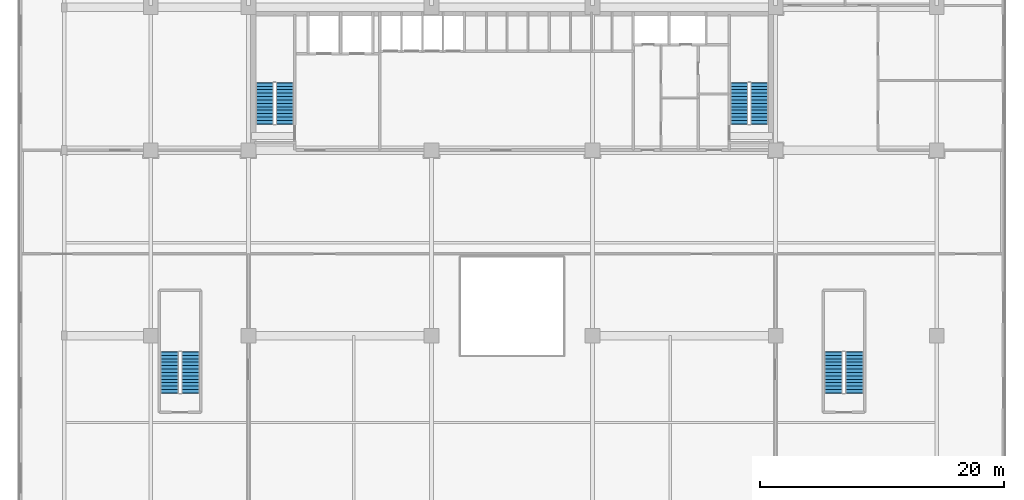
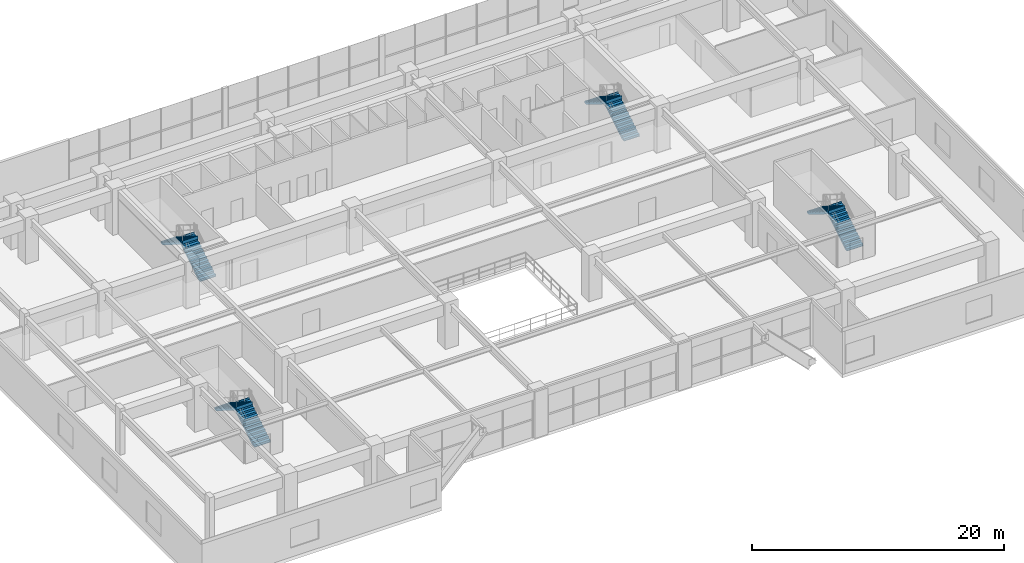
# One storey, part 18 of 24: 8 stair flights, 4 elements without a shape of their own.
"""IFC4 building model written with IfcOpenShell, lengths in metres."""

from ifc_helpers import new_model, si_unit, direction, frame, origin, place, context, subcontext, project, spatial, polyline, outline, extrude, source, transform, mapped, material, type_object, element, aggregate, save


model = new_model("IFC4")

# Units and contexts
model_context = context("Model", 3, precision=1e-05, world=origin(), true_north=direction((0.0, 1.0)))
body_context = subcontext(model_context, "Body", "Model", "MODEL_VIEW")
ifc_project = project(units=[si_unit("LENGTHUNIT", "METRE"), si_unit("AREAUNIT", "SQUARE_METRE"), si_unit("VOLUMEUNIT", "CUBIC_METRE"), si_unit("PLANEANGLEUNIT", "RADIAN"), si_unit("MASSUNIT", "GRAM", prefix="KILO")], contexts=[model_context])

# Site, building, storey
site_placement = place(None, origin())
site = spatial("IfcSite", under=ifc_project, at=site_placement, CompositionType="ELEMENT")
building_placement = place(site_placement, origin())
building = spatial("IfcBuilding", under=site, at=building_placement, Name="Trelvane Seafront Commons", CompositionType="ELEMENT")
storey_placement = place(building_placement, frame((0.0, 0.0, 5.199951171875)))
storey = spatial("IfcBuildingStorey", under=building, at=storey_placement, Name="L01", CompositionType="ELEMENT", Elevation=5.199951171875)

# Stair, stair flights
ifc_material = material(Name="Concrete C40/50", Category="concrete")
stair_type_1 = type_object("IfcStairType", Name="ARCH-STR-ST-1-R26-173", PredefinedType="HALF_TURN_STAIR", material=ifc_material)
stair_1_placement = place(storey_placement, origin())
stair_1 = element("IfcStair", 1, at=stair_1_placement, inside=storey, type_object=stair_type_1, Name="L01 West Protected Firefighting Exit Stair ST-1", PredefinedType="HALF_TURN_STAIR")
stair_flight_type_1 = type_object("IfcStairFlightType", Name="ARCH-FLG-ST-1-R26-173", PredefinedType="STRAIGHT", material=ifc_material)
shared_shape_1 = source(origin(), body_context, "Body", "SweptSolid", [
    extrude(outline(polyline([(-0.050048828125, -0.02001953125), (-0.050048828125, 0.0), (0.0, 0.0), (0.0, 0.173095703125), (0.280029296875, 0.173095703125), (0.280029296875, 0.34619140625), (0.56005859375, 0.34619140625), (0.56005859375, 0.519287109375), (0.840087890625, 0.519287109375), (0.840087890625, 0.6923828125), (1.1201171875, 0.6923828125), (1.1201171875, 0.865478515625), (1.39990234375, 0.865478515625), (1.39990234375, 1.03857421875), (1.679931640625, 1.03857421875), (1.679931640625, 1.21142578125), (1.9599609375, 1.21142578125), (1.9599609375, 1.384521484375), (2.239990234375, 1.384521484375), (2.239990234375, 1.5576171875), (2.52001953125, 1.5576171875), (2.52001953125, 1.730712890625), (2.800048828125, 1.730712890625), (2.800048828125, 1.90380859375), (3.080078125, 1.90380859375), (3.080078125, 2.076904296875), (3.360107421875, 2.076904296875), (3.360107421875, 2.25), (3.409912109375, 2.25), (3.409912109375, 2.10009765625), (3.360107421875, 1.900634765625), (0.28515625, -0.02001953125), (-0.050048828125, -0.02001953125)])), frame((0.0, 0.72509765625, 0.0), z_axis=(0.0, -1.0, 0.0), x_axis=(1.0, 0.0, 0.0)), (0.0, 0.0, 1.0), 1.449951171875),
])
stair_flight_1_placement = place(storey_placement, frame((18.574951171875, 35.550048828125, 0.0), z_axis=(0.0, 0.0, 1.0), x_axis=(0.0, 1.0, 0.0)))
stair_flight_1 = element("IfcStairFlight", 2, at=stair_flight_1_placement, type_object=stair_flight_type_1, Name="ST-1 flight 1", NumberOfRisers=13, NumberOfTreads=12, PredefinedType="STRAIGHT", RiserHeight=0.173076923, TreadLength=0.28, context=body_context, shape_type="MappedRepresentation", body=[
    mapped(shared_shape_1, transform((0.0, 0.0, 0.0), x_axis=(1.0, 0.0, 0.0), y_axis=(0.0, 1.0, 0.0), z_axis=(0.0, 0.0, 1.0), scale=1.0)),
])
stair_flight_2_placement = place(storey_placement, frame((16.925048828125, 38.909912109375, 2.25), z_axis=(0.0, 0.0, 1.0), x_axis=(0.0, -1.0, 0.0)))
stair_flight_2 = element("IfcStairFlight", 3, at=stair_flight_2_placement, type_object=stair_flight_type_1, Name="ST-1 flight 2", NumberOfRisers=13, NumberOfTreads=12, PredefinedType="STRAIGHT", RiserHeight=0.173076923, TreadLength=0.28, context=body_context, shape_type="MappedRepresentation", body=[
    mapped(shared_shape_1, transform((0.0, 0.0, 0.0), x_axis=(1.0, 0.0, 0.0), y_axis=(0.0, 1.0, 0.0), z_axis=(0.0, 0.0, 1.0), scale=1.0)),
])
aggregate(stair_1, [stair_flight_1, stair_flight_2])

stair_type_2 = type_object("IfcStairType", Name="ARCH-STR-ST-2-R26-173", PredefinedType="HALF_TURN_STAIR", material=ifc_material)
stair_2_placement = place(storey_placement, origin())
stair_2 = element("IfcStair", 4, at=stair_2_placement, inside=storey, type_object=stair_type_2, Name="L01 East Protected Firefighting Exit Stair ST-2", PredefinedType="HALF_TURN_STAIR")
stair_flight_type_2 = type_object("IfcStairFlightType", Name="ARCH-FLG-ST-2-R26-173", PredefinedType="STRAIGHT", material=ifc_material)
stair_flight_3_placement = place(storey_placement, frame((57.47509765625, 35.550048828125, 0.0), z_axis=(0.0, 0.0, 1.0), x_axis=(0.0, 1.0, 0.0)))
stair_flight_3 = element("IfcStairFlight", 5, at=stair_flight_3_placement, type_object=stair_flight_type_2, Name="ST-2 flight 1", NumberOfRisers=13, NumberOfTreads=12, PredefinedType="STRAIGHT", RiserHeight=0.173076923, TreadLength=0.28, context=body_context, shape_type="MappedRepresentation", body=[
    mapped(shared_shape_1, transform((0.0, 0.0, 0.0), x_axis=(1.0, 0.0, 0.0), y_axis=(0.0, 1.0, 0.0), z_axis=(0.0, 0.0, 1.0), scale=1.0)),
])
stair_flight_4_placement = place(storey_placement, frame((55.824951171875, 38.909912109375, 2.25), z_axis=(0.0, 0.0, 1.0), x_axis=(0.0, -1.0, 0.0)))
stair_flight_4 = element("IfcStairFlight", 6, at=stair_flight_4_placement, type_object=stair_flight_type_2, Name="ST-2 flight 2", NumberOfRisers=13, NumberOfTreads=12, PredefinedType="STRAIGHT", RiserHeight=0.173076923, TreadLength=0.28, context=body_context, shape_type="MappedRepresentation", body=[
    mapped(shared_shape_1, transform((0.0, 0.0, 0.0), x_axis=(1.0, 0.0, 0.0), y_axis=(0.0, 1.0, 0.0), z_axis=(0.0, 0.0, 1.0), scale=1.0)),
])
aggregate(stair_2, [stair_flight_3, stair_flight_4])

stair_type_3 = type_object("IfcStairType", Name="ARCH-STR-ST-3-R26-173", PredefinedType="HALF_TURN_STAIR", material=ifc_material)
stair_3_placement = place(storey_placement, origin())
stair_3 = element("IfcStair", 7, at=stair_3_placement, inside=storey, type_object=stair_type_3, Name="L01 Podium Commons West Promenade Stair ST-3", PredefinedType="HALF_TURN_STAIR")
stair_flight_type_3 = type_object("IfcStairFlightType", Name="ARCH-FLG-ST-3-R26-173", PredefinedType="STRAIGHT", material=ifc_material)
shared_shape_2 = source(origin(), body_context, "Body", "SweptSolid", [
    extrude(outline(polyline([(-0.050048828125, -0.02001953125), (-0.050048828125, 0.0), (0.0, 0.0), (0.0, 0.173095703125), (0.280029296875, 0.173095703125), (0.280029296875, 0.34619140625), (0.56005859375, 0.34619140625), (0.56005859375, 0.519287109375), (0.840087890625, 0.519287109375), (0.840087890625, 0.6923828125), (1.1201171875, 0.6923828125), (1.1201171875, 0.865478515625), (1.39990234375, 0.865478515625), (1.39990234375, 1.03857421875), (1.679931640625, 1.03857421875), (1.679931640625, 1.21142578125), (1.9599609375, 1.21142578125), (1.9599609375, 1.384521484375), (2.239990234375, 1.384521484375), (2.239990234375, 1.5576171875), (2.52001953125, 1.5576171875), (2.52001953125, 1.730712890625), (2.800048828125, 1.730712890625), (2.800048828125, 1.90380859375), (3.080078125, 1.90380859375), (3.080078125, 2.076904296875), (3.360107421875, 2.076904296875), (3.360107421875, 2.25), (3.409912109375, 2.25), (3.409912109375, 2.10009765625), (3.360107421875, 1.900634765625), (0.28515625, -0.02001953125), (-0.050048828125, -0.02001953125)])), frame((0.0, 0.75, 0.0), z_axis=(0.0, -1.0, 0.0), x_axis=(1.0, 0.0, 0.0)), (0.0, 0.0, 1.0), 1.5),
])
stair_flight_5_placement = place(storey_placement, frame((10.85009765625, 13.5, 0.0), z_axis=(0.0, 0.0, 1.0), x_axis=(0.0, 1.0, 0.0)))
stair_flight_5 = element("IfcStairFlight", 8, at=stair_flight_5_placement, type_object=stair_flight_type_3, Name="ST-3 flight 1", NumberOfRisers=13, NumberOfTreads=12, PredefinedType="STRAIGHT", RiserHeight=0.173076923, TreadLength=0.28, context=body_context, shape_type="MappedRepresentation", body=[
    mapped(shared_shape_2, transform((0.0, 0.0, 0.0), x_axis=(1.0, 0.0, 0.0), y_axis=(0.0, 1.0, 0.0), z_axis=(0.0, 0.0, 1.0), scale=1.0)),
])
stair_flight_6_placement = place(storey_placement, frame((9.14990234375, 16.860107421875, 2.25), z_axis=(0.0, 0.0, 1.0), x_axis=(0.0, -1.0, 0.0)))
stair_flight_6 = element("IfcStairFlight", 9, at=stair_flight_6_placement, type_object=stair_flight_type_3, Name="ST-3 flight 2", NumberOfRisers=13, NumberOfTreads=12, PredefinedType="STRAIGHT", RiserHeight=0.173076923, TreadLength=0.28, context=body_context, shape_type="MappedRepresentation", body=[
    mapped(shared_shape_2, transform((0.0, 0.0, 0.0), x_axis=(1.0, 0.0, 0.0), y_axis=(0.0, 1.0, 0.0), z_axis=(0.0, 0.0, 1.0), scale=1.0)),
])
aggregate(stair_3, [stair_flight_5, stair_flight_6])

stair_type_4 = type_object("IfcStairType", Name="ARCH-STR-ST-4-R26-173", PredefinedType="HALF_TURN_STAIR", material=ifc_material)
stair_4_placement = place(storey_placement, origin())
stair_4 = element("IfcStair", 10, at=stair_4_placement, inside=storey, type_object=stair_type_4, Name="L01 Podium Commons East Promenade Stair ST-4", PredefinedType="HALF_TURN_STAIR")
stair_flight_type_4 = type_object("IfcStairFlightType", Name="ARCH-FLG-ST-4-R26-173", PredefinedType="STRAIGHT", material=ifc_material)
stair_flight_7_placement = place(storey_placement, frame((65.25, 13.5, 0.0), z_axis=(0.0, 0.0, 1.0), x_axis=(0.0, 1.0, 0.0)))
stair_flight_7 = element("IfcStairFlight", 11, at=stair_flight_7_placement, type_object=stair_flight_type_4, Name="ST-4 flight 1", NumberOfRisers=13, NumberOfTreads=12, PredefinedType="STRAIGHT", RiserHeight=0.173076923, TreadLength=0.28, context=body_context, shape_type="MappedRepresentation", body=[
    mapped(shared_shape_2, transform((0.0, 0.0, 0.0), x_axis=(1.0, 0.0, 0.0), y_axis=(0.0, 1.0, 0.0), z_axis=(0.0, 0.0, 1.0), scale=1.0)),
])
stair_flight_8_placement = place(storey_placement, frame((63.550048828125, 16.860107421875, 2.25), z_axis=(0.0, 0.0, 1.0), x_axis=(0.0, -1.0, 0.0)))
stair_flight_8 = element("IfcStairFlight", 12, at=stair_flight_8_placement, type_object=stair_flight_type_4, Name="ST-4 flight 2", NumberOfRisers=13, NumberOfTreads=12, PredefinedType="STRAIGHT", RiserHeight=0.173076923, TreadLength=0.28, context=body_context, shape_type="MappedRepresentation", body=[
    mapped(shared_shape_2, transform((0.0, 0.0, 0.0), x_axis=(1.0, 0.0, 0.0), y_axis=(0.0, 1.0, 0.0), z_axis=(0.0, 0.0, 1.0), scale=1.0)),
])
aggregate(stair_4, [stair_flight_7, stair_flight_8])

save(model, "model.ifc")
